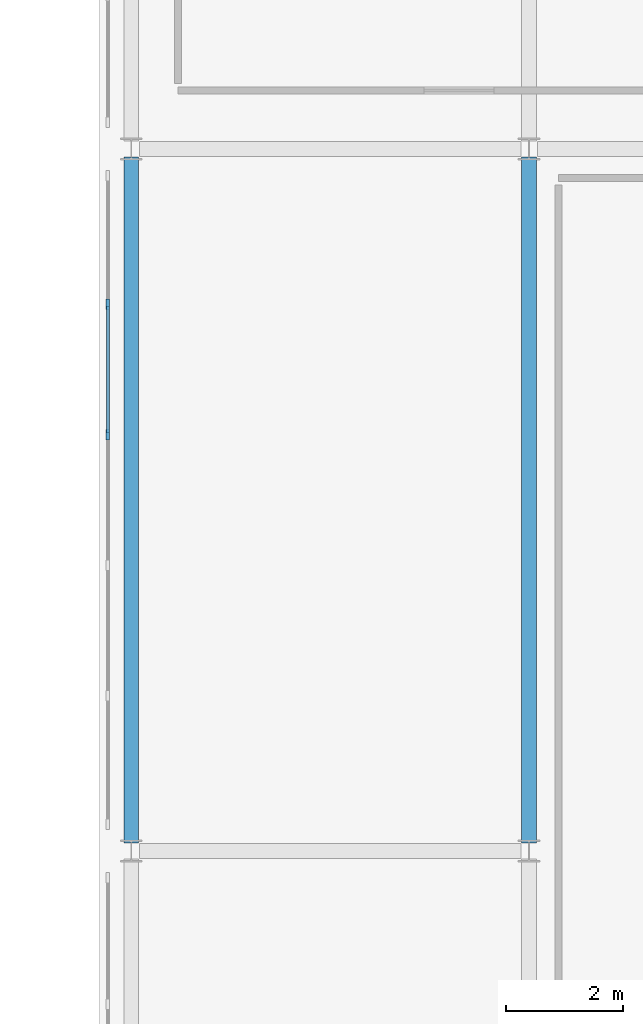
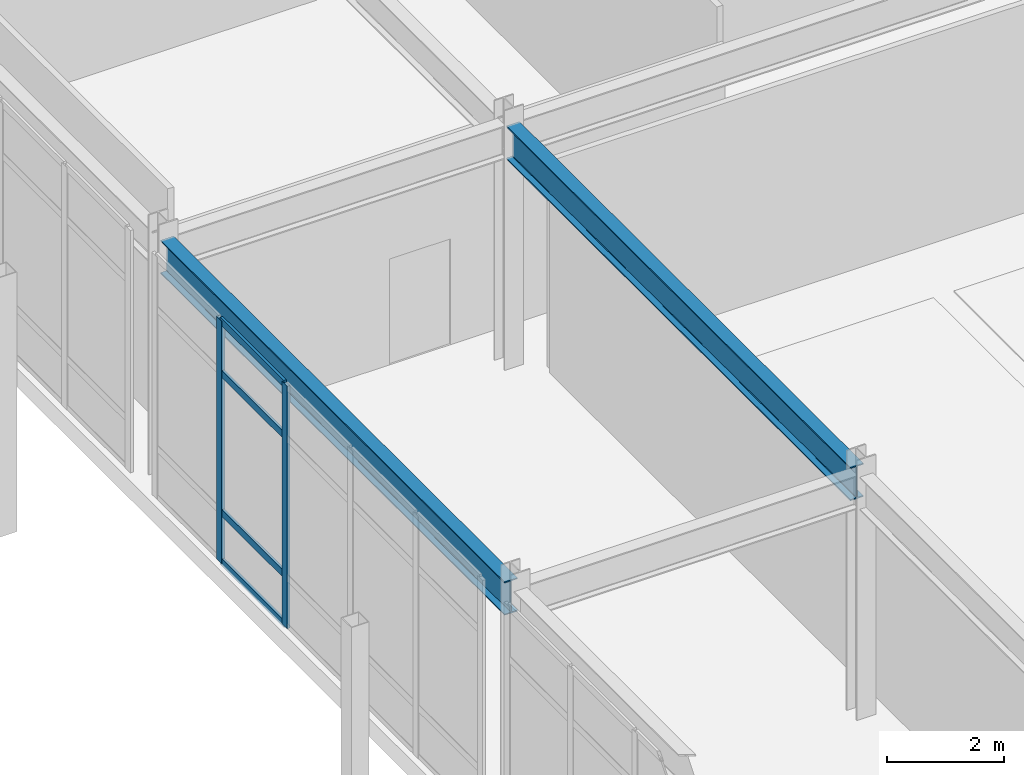
# One storey, part 71 of 159: 6 members, 2 beams, 1 element without a shape of its own.
"""IFC4 building model written with IfcOpenShell, lengths in metres."""

from ifc_helpers import new_model, si_unit, derived_unit, direction, frame, origin, origin_2d, place, context, subcontext, project, spatial, rectangle, i_section, extrude, material, layer, layer_set, material_profile, profile_set, type_object, element, aggregate, save


model = new_model("IFC4")

# Units and contexts
model_context = context("Model", 3, precision=1e-05, world=origin(), true_north=direction((0.0, 1.0)))
body_context = subcontext(model_context, "Body", "Model", "MODEL_VIEW")
ifc_project = project(units=[si_unit("LENGTHUNIT", "METRE"), si_unit("AREAUNIT", "SQUARE_METRE"), si_unit("VOLUMEUNIT", "CUBIC_METRE"), si_unit("PLANEANGLEUNIT", "RADIAN"), si_unit("MASSUNIT", "GRAM", prefix="KILO"), derived_unit("THERMALTRANSMITTANCEUNIT", [(si_unit("MASSUNIT", "GRAM", prefix="KILO"), 1), (si_unit("TIMEUNIT", "SECOND"), -3), (si_unit("THERMODYNAMICTEMPERATUREUNIT", "KELVIN"), -1)])], contexts=[model_context])

# Site, building, storey
site_placement = place(None, origin())
site = spatial("IfcSite", under=ifc_project, at=site_placement, CompositionType="ELEMENT")
building_placement = place(site_placement, origin())
building = spatial("IfcBuilding", under=site, at=building_placement, Name="Valcora Ridge Arena", CompositionType="ELEMENT")
storey_placement = place(building_placement, frame((0.0, 0.0, 6.0)))
storey = spatial("IfcBuildingStorey", under=building, at=storey_placement, Name="L01", CompositionType="ELEMENT", Elevation=6.0)

# Beams
ifc_material_1 = material(Name="Steel ASTM A572 Grade 50", Category="steel")
ifc_material_profile_1 = material_profile(ifc_material_1, i_section(OverallWidth=0.256103515625, OverallDepth=0.693115234375, WebThickness=0.014404296875, FlangeThickness=0.023681640625, FilletRadius=0.02001953125, at=origin_2d()), Name="W27X114")
ifc_profile_set_1 = profile_set([ifc_material_profile_1], Name="Steel ASTM A572 Grade 50")
beam_type = type_object("IfcBeamType", Name="TY-BEAM-G-W27X114-Y", PredefinedType="BEAM", material=ifc_profile_set_1)
for number, where, z_axis, x_axis, name in (
    (1, (137.199951171875, 54.139892578125, 4.693603515625), (0.0, 1.0, 0.0), (-1.0, 0.0, 0.0), "G-W27X114-Y BEM-G-W27X114-Y-0038"),
    (2, (144.0, 54.139892578125, 4.693603515625), (0.0, 1.0, 0.0), (-1.0, 0.0, 0.0), "G-W27X114-Y BEM-G-W27X114-Y-0044"),
):
    element("IfcBeam", number, at=place(storey_placement, frame(where, z_axis=z_axis, x_axis=x_axis)), inside=storey, type_object=beam_type, Name=name, PredefinedType="BEAM", context=body_context, shape_type="SweptSolid", body=[
        extrude(i_section(OverallWidth=0.256103515625, OverallDepth=0.693115234375, WebThickness=0.014404296875, FlangeThickness=0.023681640625, FilletRadius=0.02001953125, at=origin_2d()), origin(), (0.0, 0.0, 1.0), 11.72021484375),
    ])

# Curtain wall, members
ifc_material_2 = material(Name="Anodised dark bronze architectural aluminium 6063-T6", Category="aluminium")
ifc_layer = layer(ifc_material_2, 0.179931640625, Name="Anodised dark bronze architectural aluminium 6063-T6")
ifc_layer_set = layer_set([ifc_layer], Name="Anodised dark bronze architectural aluminium 6063-T6")
curtain_wall_type = type_object("IfcCurtainWallType", Name="TY-CURTAINWALL-CW-V2-GLAZ-111X50", PredefinedType="NOTDEFINED", material=ifc_layer_set)
curtain_wall_placement = place(storey_placement, origin())
curtain_wall = element("IfcCurtainWall", 3, at=curtain_wall_placement, inside=storey, type_object=curtain_wall_type, Name="CW-V2-GLAZ-111X50 CW-0042", PredefinedType="NOTDEFINED")
ifc_material_profile_2 = material_profile(ifc_material_2, rectangle(XDim=0.06005859375, YDim=0.179931640625, at=origin_2d()), Name="ALU MULLION 60x180")
ifc_profile_set_2 = profile_set([ifc_material_profile_2], Name="Anodised dark bronze architectural aluminium 6063-T6")
member_type_1 = type_object("IfcMemberType", Name="TY-MEM-CWM-60x180", PredefinedType="MULLION", material=ifc_profile_set_2)
member_1_placement = place(storey_placement, frame((136.800048828125, 61.11474609375, 0.0), z_axis=(0.0, 0.0, 1.0), x_axis=(-1.0, 0.0, 0.0)))
member_1 = element("IfcMember", 4, at=member_1_placement, type_object=member_type_1, Name="CW-0042/CWM-60x180/M03", PredefinedType="MULLION", context=body_context, shape_type="SweptSolid", body=[
    extrude(rectangle(XDim=0.06005859375, YDim=0.179931640625, at=origin_2d()), origin(), (0.0, 0.0, 1.0), 5.0400390625),
])
member_2_placement = place(storey_placement, frame((136.800048828125, 63.343994140625, 0.0), z_axis=(0.0, 0.0, 1.0), x_axis=(-1.0, 0.0, 0.0)))
member_2 = element("IfcMember", 5, at=member_2_placement, type_object=member_type_1, Name="CW-0042/CWM-60x180/M04", PredefinedType="MULLION", context=body_context, shape_type="SweptSolid", body=[
    extrude(rectangle(XDim=0.06005859375, YDim=0.179931640625, at=origin_2d()), origin(), (0.0, 0.0, 1.0), 5.0400390625),
])
ifc_material_profile_3 = material_profile(ifc_material_2, rectangle(XDim=0.050048828125, YDim=0.14990234375, at=origin_2d()), Name="ALU TRANSOM 50x150")
ifc_profile_set_3 = profile_set([ifc_material_profile_3], Name="Anodised dark bronze architectural aluminium 6063-T6")
member_type_2 = type_object("IfcMemberType", Name="TY-MEM-CWT-50x150", PredefinedType="USERDEFINED", material=ifc_profile_set_3)
member_3_placement = place(storey_placement, frame((136.800048828125, 61.14453125, 0.02490234375), z_axis=(0.0, 1.0, 0.0), x_axis=(-1.0, 0.0, 0.0)))
member_3 = element("IfcMember", 6, at=member_3_placement, type_object=member_type_2, Name="CW-0042/CWT-50x150/T03-00", ObjectType="TRANSOM", PredefinedType="USERDEFINED", context=body_context, shape_type="SweptSolid", body=[
    extrude(rectangle(XDim=0.050048828125, YDim=0.14990234375, at=origin_2d()), origin(), (0.0, 0.0, 1.0), 2.169921875),
])
member_4_placement = place(storey_placement, frame((136.800048828125, 61.14453125, 1.050048828125), z_axis=(0.0, 1.0, 0.0), x_axis=(-1.0, 0.0, 0.0)))
member_4 = element("IfcMember", 7, at=member_4_placement, type_object=member_type_2, Name="CW-0042/CWT-50x150/T03-01", ObjectType="TRANSOM", PredefinedType="USERDEFINED", context=body_context, shape_type="SweptSolid", body=[
    extrude(rectangle(XDim=0.050048828125, YDim=0.14990234375, at=origin_2d()), origin(), (0.0, 0.0, 1.0), 2.169921875),
])
member_5_placement = place(storey_placement, frame((136.800048828125, 61.14453125, 3.93994140625), z_axis=(0.0, 1.0, 0.0), x_axis=(-1.0, 0.0, 0.0)))
member_5 = element("IfcMember", 8, at=member_5_placement, type_object=member_type_2, Name="CW-0042/CWT-50x150/T03-02", ObjectType="TRANSOM", PredefinedType="USERDEFINED", context=body_context, shape_type="SweptSolid", body=[
    extrude(rectangle(XDim=0.050048828125, YDim=0.14990234375, at=origin_2d()), origin(), (0.0, 0.0, 1.0), 2.169921875),
])
member_6_placement = place(storey_placement, frame((136.800048828125, 61.14453125, 5.014892578125), z_axis=(0.0, 1.0, 0.0), x_axis=(-1.0, 0.0, 0.0)))
member_6 = element("IfcMember", 9, at=member_6_placement, type_object=member_type_2, Name="CW-0042/CWT-50x150/T03-03", ObjectType="TRANSOM", PredefinedType="USERDEFINED", context=body_context, shape_type="SweptSolid", body=[
    extrude(rectangle(XDim=0.050048828125, YDim=0.14990234375, at=origin_2d()), origin(), (0.0, 0.0, 1.0), 2.169921875),
])
aggregate(curtain_wall, [member_1, member_2, member_3, member_4, member_5, member_6])

save(model, "model.ifc")
